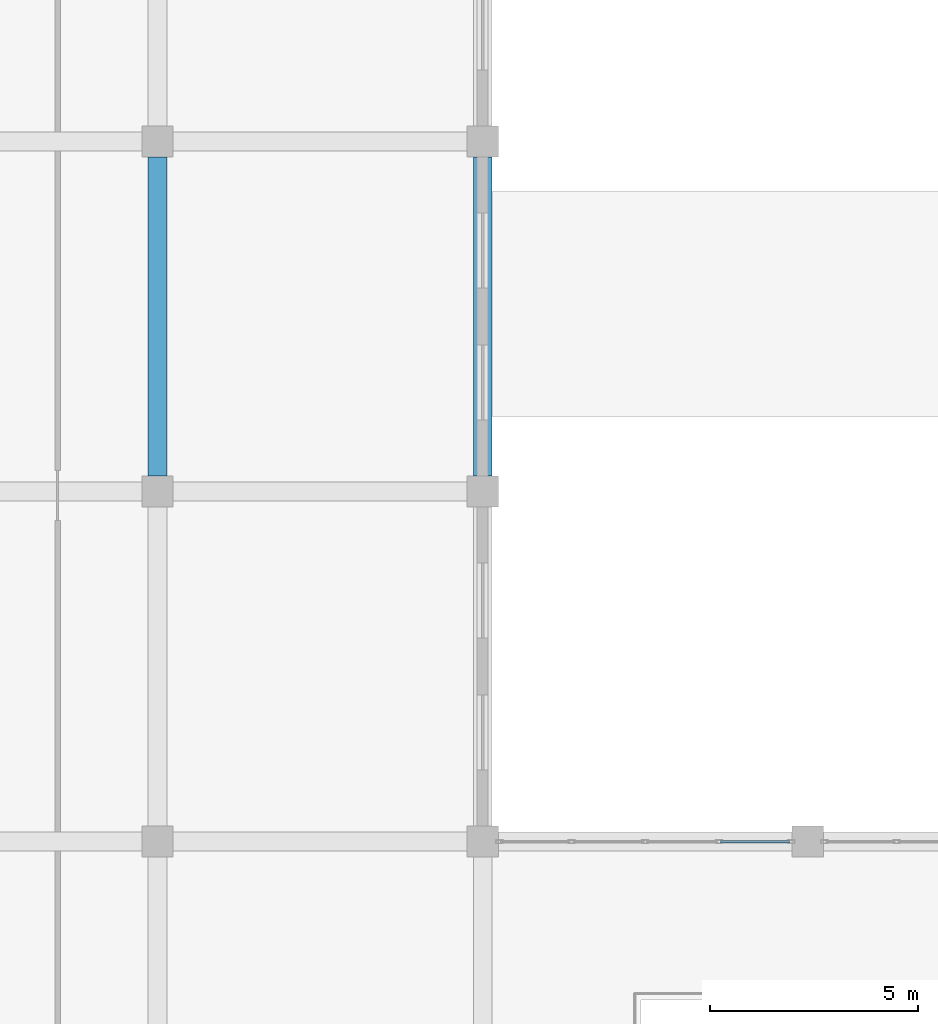
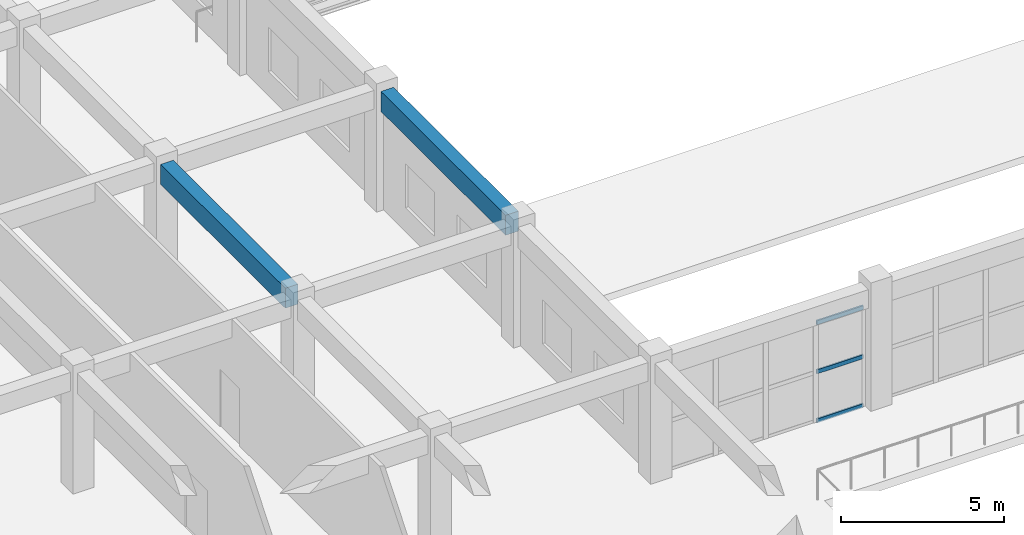
# One storey, part 37 of 167: 3 members, 2 beams, 1 element without a shape of its own.
"""IFC4 building model written with IfcOpenShell, lengths in metres."""

from ifc_helpers import new_model, si_unit, direction, frame, origin, origin_2d, place, context, subcontext, project, spatial, rectangle, hollow_rectangle, extrude, material, layer, layer_set, material_profile, profile_set, type_object, element, aggregate, save


model = new_model("IFC4")

# Units and contexts
model_context = context("Model", 3, precision=1e-05, world=origin(), true_north=direction((0.0, 1.0)))
body_context = subcontext(model_context, "Body", "Model", "MODEL_VIEW")
ifc_project = project(units=[si_unit("LENGTHUNIT", "METRE"), si_unit("AREAUNIT", "SQUARE_METRE"), si_unit("VOLUMEUNIT", "CUBIC_METRE"), si_unit("PLANEANGLEUNIT", "RADIAN"), si_unit("MASSUNIT", "GRAM", prefix="KILO")], contexts=[model_context])

# Site, building, storey
site_placement = place(None, origin())
site = spatial("IfcSite", under=ifc_project, at=site_placement, CompositionType="ELEMENT")
building_placement = place(site_placement, origin())
building = spatial("IfcBuilding", under=site, at=building_placement, Name="Zizhar Promenade General Hospital", CompositionType="ELEMENT")
storey_placement = place(building_placement, frame((0.0, 0.0, 9.60009765625)))
storey = spatial("IfcBuildingStorey", under=building, at=storey_placement, Name="L02", CompositionType="ELEMENT", Elevation=9.60009765625)

# Beams
ifc_material_1 = material(Name="Concrete C35/45", Category="concrete")
ifc_material_profile_1 = material_profile(ifc_material_1, rectangle(XDim=0.449951171875, YDim=0.75, at=origin_2d()))
ifc_profile_set_1 = profile_set([ifc_material_profile_1], Name="Concrete C35/45")
beam_type = type_object("IfcBeamType", Name="BM-RC-450x750", PredefinedType="BEAM", material=ifc_profile_set_1)
for number, where, z_axis, x_axis, name in (
    (1, (62.39990234375, 59.175048828125, 4.094970703125), (0.0, 1.0, 0.0), (-1.0, 0.0, 0.0), "Grid Beam Y L02 (8-7)"),
    (2, (70.199951171875, 59.175048828125, 4.094970703125), (0.0, 1.0, 0.0), (-1.0, 0.0, 0.0), "Grid Beam Y L02 (9-7)"),
):
    element("IfcBeam", number, at=place(storey_placement, frame(where, z_axis=z_axis, x_axis=x_axis)), inside=storey, type_object=beam_type, Name=name, PredefinedType="BEAM", context=body_context, shape_type="SweptSolid", body=[
        extrude(rectangle(XDim=0.449951171875, YDim=0.75, at=origin_2d()), origin(), (0.0, 0.0, 1.0), 7.64990234375),
    ])

# Curtain wall, members
ifc_material_2 = material(Name="Anodised aluminium 6063-T6 and low-E glass", Category="aluminium")
ifc_layer = layer(ifc_material_2, 0.159912109375)
ifc_layer_set = layer_set([ifc_layer], Name="Anodised aluminium 6063-T6 and low-E glass")
curtain_wall_type = type_object("IfcCurtainWallType", Name="CW-HALL-N", PredefinedType="NOTDEFINED", material=ifc_layer_set)
curtain_wall_placement = place(storey_placement, origin())
curtain_wall = element("IfcCurtainWall", 3, at=curtain_wall_placement, inside=storey, type_object=curtain_wall_type, Name="Main Hall Courtyard Curtain Wall L02-9", PredefinedType="NOTDEFINED")
ifc_material_3 = material(Name="Anodised aluminium 6063-T6", Category="aluminium")
ifc_material_profile_2 = material_profile(ifc_material_3, hollow_rectangle(XDim=0.06005859375, YDim=0.14990234375, WallThickness=0.00390625, at=origin_2d()))
ifc_profile_set_2 = profile_set([ifc_material_profile_2], Name="Anodised aluminium 6063-T6")
member_type = type_object("IfcMemberType", Name="CWT-ALU-150x60", PredefinedType="USERDEFINED", material=ifc_profile_set_2)
member_1_placement = place(storey_placement, frame((75.909912109375, 50.39990234375, 0.02978515625), z_axis=(1.0, 0.0, 0.0), x_axis=(0.0, 1.0, 0.0)))
member_1 = element("IfcMember", 4, at=member_1_placement, type_object=member_type, Name="CW-02 transom 4.1", ObjectType="TRANSOM", PredefinedType="USERDEFINED", context=body_context, shape_type="SweptSolid", body=[
    extrude(hollow_rectangle(XDim=0.06005859375, YDim=0.14990234375, WallThickness=0.00390625, at=origin_2d()), origin(), (0.0, 0.0, 1.0), 1.650146484375),
])
member_2_placement = place(storey_placement, frame((75.909912109375, 50.39990234375, 1.864990234375), z_axis=(1.0, 0.0, 0.0), x_axis=(0.0, 1.0, 0.0)))
member_2 = element("IfcMember", 5, at=member_2_placement, type_object=member_type, Name="CW-02 transom 4.2", ObjectType="TRANSOM", PredefinedType="USERDEFINED", context=body_context, shape_type="SweptSolid", body=[
    extrude(hollow_rectangle(XDim=0.06005859375, YDim=0.14990234375, WallThickness=0.00390625, at=origin_2d()), origin(), (0.0, 0.0, 1.0), 1.650146484375),
])
member_3_placement = place(storey_placement, frame((75.909912109375, 50.39990234375, 3.699951171875), z_axis=(1.0, 0.0, 0.0), x_axis=(0.0, 1.0, 0.0)))
member_3 = element("IfcMember", 6, at=member_3_placement, type_object=member_type, Name="CW-02 transom 4.3", ObjectType="TRANSOM", PredefinedType="USERDEFINED", context=body_context, shape_type="SweptSolid", body=[
    extrude(hollow_rectangle(XDim=0.06005859375, YDim=0.14990234375, WallThickness=0.00390625, at=origin_2d()), origin(), (0.0, 0.0, 1.0), 1.650146484375),
])
aggregate(curtain_wall, [member_1, member_2, member_3])

save(model, "model.ifc")
